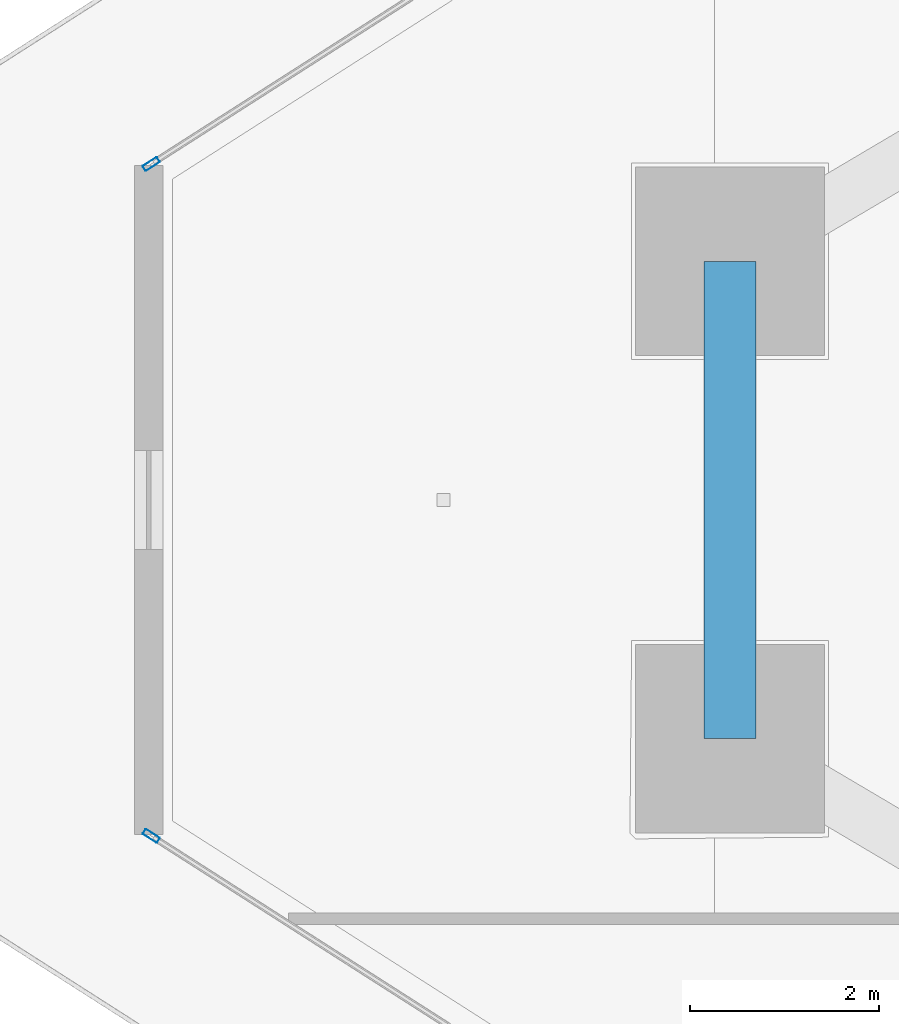
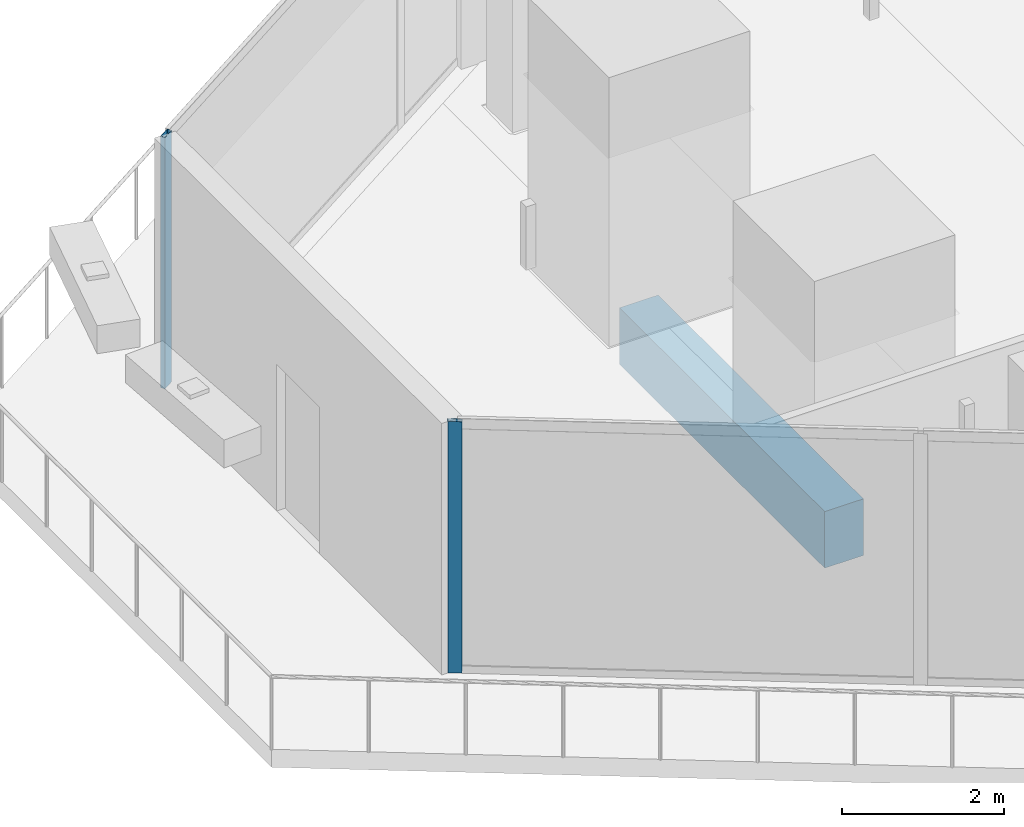
# One storey, part 6 of 37: 2 members, 1 beam, 2 elements without a shape of their own.
"""IFC4 building model written with IfcOpenShell, lengths in metres."""

from ifc_helpers import new_model, si_unit, direction, frame, origin, origin_2d, place, context, subcontext, project, spatial, rectangle, hollow_rectangle, extrude, material, layer, layer_set, material_profile, profile_set, type_object, element, aggregate, save


model = new_model("IFC4")

# Units and contexts
model_context = context("Model", 3, precision=1e-05, world=origin(), true_north=direction((0.0, 1.0)))
body_context = subcontext(model_context, "Body", "Model", "MODEL_VIEW")
ifc_project = project(units=[si_unit("LENGTHUNIT", "METRE"), si_unit("AREAUNIT", "SQUARE_METRE"), si_unit("VOLUMEUNIT", "CUBIC_METRE"), si_unit("PLANEANGLEUNIT", "RADIAN"), si_unit("MASSUNIT", "GRAM", prefix="KILO")], contexts=[model_context])

# Site, building, storey
site_placement = place(None, origin())
site = spatial("IfcSite", under=ifc_project, at=site_placement, CompositionType="ELEMENT")
building_placement = place(site_placement, origin())
building = spatial("IfcBuilding", under=site, at=building_placement, Name="Qorvath Tower", CompositionType="ELEMENT")
storey_placement = place(building_placement, frame((0.0, 0.0, 184.800048828125)))
storey = spatial("IfcBuildingStorey", under=building, at=storey_placement, Name="L42", CompositionType="ELEMENT", Elevation=184.800048828125)

# Beam
ifc_material_1 = material(Name="Concrete C50/60", Category="concrete")
ifc_material_profile_1 = material_profile(ifc_material_1, rectangle(XDim=0.550048828125, YDim=0.85009765625, at=origin_2d()), Name="RCB 850x550")
ifc_profile_set_1 = profile_set([ifc_material_profile_1], Name="Concrete C50/60")
beam_type = type_object("IfcBeamType", Name="BM-RCB2", PredefinedType="SPANDREL", material=ifc_profile_set_1)
beam_placement = place(storey_placement, frame((-49.171875, 2.52783203125, -0.695068359375), z_axis=(0.0, -1.0, 0.0), x_axis=(1.0, 0.0, 0.0)))
element("IfcBeam", 1, at=beam_placement, inside=storey, type_object=beam_type, Name="Perimeter Loggia Frame Beam MC1-MC2 L42", PredefinedType="SPANDREL", context=body_context, shape_type="SweptSolid", body=[
    extrude(rectangle(XDim=0.550048828125, YDim=0.85009765625, at=origin_2d()), origin(), (0.0, 0.0, 1.0), 5.0556640625),
])

# Curtain wall, member
ifc_material_2 = material(Name="Anodised aluminium and triple low-E glass", Category="aluminium")
ifc_layer = layer(ifc_material_2, 0.179931640625)
ifc_layer_set = layer_set([ifc_layer], Name="CW-SYS-3")
curtain_wall_type = type_object("IfcCurtainWallType", Name="CW-SYS-3", PredefinedType="NOTDEFINED", material=ifc_layer_set)
curtain_wall_1_placement = place(storey_placement, origin())
curtain_wall_1 = element("IfcCurtainWall", 2, at=curtain_wall_1_placement, inside=storey, type_object=curtain_wall_type, Name="Curtain Wall CW-3 CW-T-L42-2.1", PredefinedType="NOTDEFINED")
ifc_material_3 = material(Name="Anodised aluminium 6063-T6", Category="aluminium")
ifc_material_profile_2 = material_profile(ifc_material_3, hollow_rectangle(XDim=0.06494140625, YDim=0.179931640625, WallThickness=0.00341796875, InnerFilletRadius=0.00341796875, OuterFilletRadius=0.007080078125, at=origin_2d()), Name="CWM 180x65")
ifc_profile_set_2 = profile_set([ifc_material_profile_2], Name="Anodised aluminium 6063-T6")
member_type = type_object("IfcMemberType", Name="CWM-180", PredefinedType="MULLION", material=ifc_profile_set_2)
member_1_placement = place(storey_placement, frame((-55.300537109375, -3.55712890625, 0.0), z_axis=(0.0, 0.0, 1.0), x_axis=(0.53852951489, 0.842606647014, 0.0)))
member_1 = element("IfcMember", 3, at=member_1_placement, type_object=member_type, Name="CW-3 mullion 1", PredefinedType="MULLION", context=body_context, shape_type="SweptSolid", body=[
    extrude(hollow_rectangle(XDim=0.06494140625, YDim=0.179931640625, WallThickness=0.00341796875, InnerFilletRadius=0.00341796875, OuterFilletRadius=0.007080078125, at=origin_2d()), origin(), (0.0, 0.0, 1.0), 3.780029296875),
])
aggregate(curtain_wall_1, [member_1])

curtain_wall_2_placement = place(storey_placement, origin())
curtain_wall_2 = element("IfcCurtainWall", 4, at=curtain_wall_2_placement, inside=storey, type_object=curtain_wall_type, Name="Curtain Wall CW-3 CW-T-L42-16.3", PredefinedType="NOTDEFINED")
member_2_placement = place(storey_placement, frame((-55.300537109375, 3.55712890625, 0.0), z_axis=(0.0, 0.0, 1.0), x_axis=(0.538528229621, -0.842607468458, 0.0)))
member_2 = element("IfcMember", 5, at=member_2_placement, type_object=member_type, Name="CW-3 mullion 3", PredefinedType="MULLION", context=body_context, shape_type="SweptSolid", body=[
    extrude(hollow_rectangle(XDim=0.06494140625, YDim=0.179931640625, WallThickness=0.00341796875, InnerFilletRadius=0.00341796875, OuterFilletRadius=0.007080078125, at=origin_2d()), origin(), (0.0, 0.0, 1.0), 3.780029296875),
])
aggregate(curtain_wall_2, [member_2])

save(model, "model.ifc")
